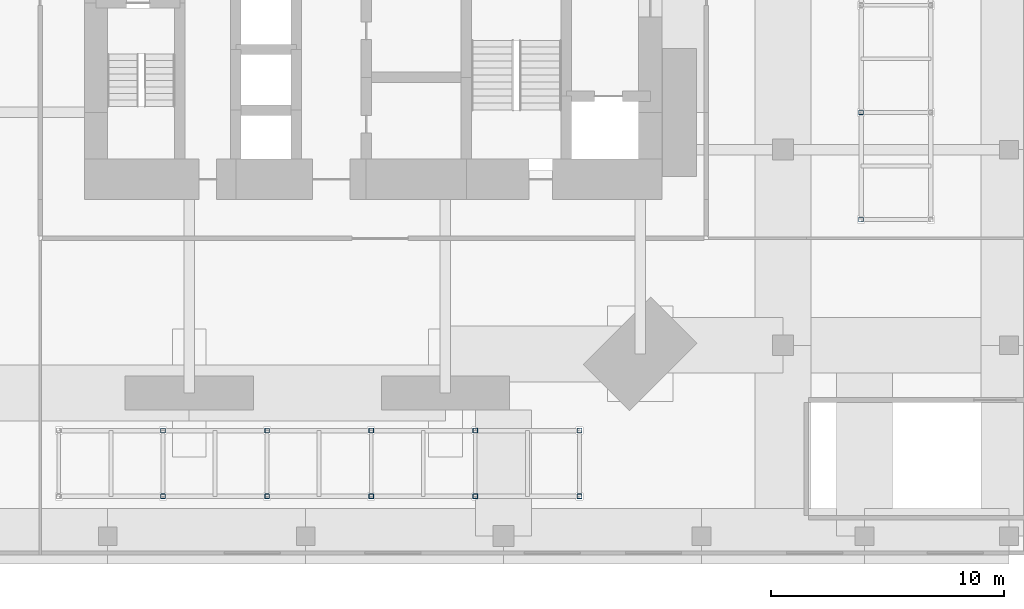
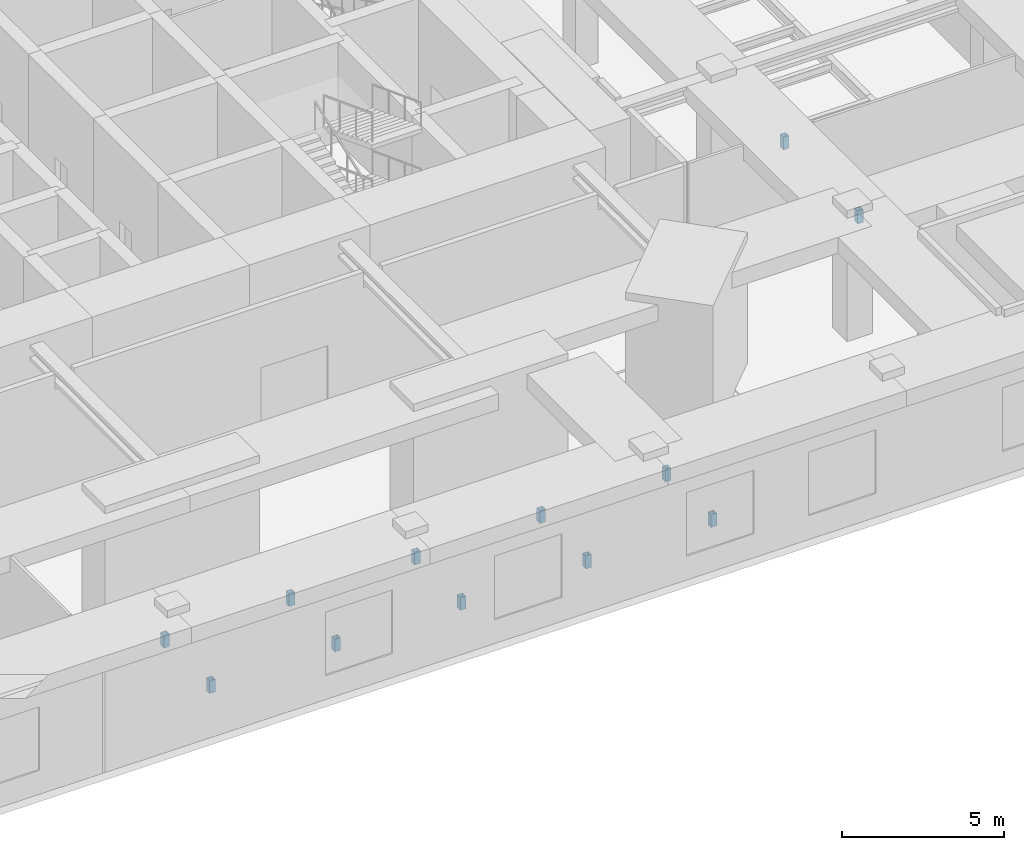
# One storey, part 4 of 17: 12 members.
"""IFC4 building model written with IfcOpenShell, lengths in metres."""

import ifcopenshell
import ifcopenshell.guid

model = None  # the IFC model being written
_history = None  # IfcOwnerHistory: only IFC2X3 demands one
_inside = {}  # id of a spatial element -> (the spatial element, [elements in it])
_under = {}  # id of a project, library or spatial element -> (it, [spatial elements below it])
_declared = {}  # id of a project -> (the project, [libraries it declares])
_typed = {}  # id of a type object -> (the type object, [elements of that type])
_made_of = {}  # id of a material, layer set ... -> (it, [elements and type objects made of it])


def new_model(schema):
    """Start an empty IFC model of exactly this schema.

    Asked for "IFC4X3", IfcOpenShell would pick the latest addendum, in which some entities
    have other attributes; the version numbers below select the first issue.
    IFC2X3 requires an IfcOwnerHistory on every rooted entity: one is made here for all.
    """
    global model, _history
    if schema == "IFC4X3":
        model = ifcopenshell.file(schema_version=(4, 3, 0, 0))
    else:
        model = ifcopenshell.file(schema=schema)
    _inside.clear()
    _under.clear()
    _declared.clear()
    _typed.clear()
    _made_of.clear()
    _history = None
    if model.schema == "IFC2X3":
        org = make("IfcOrganization", Name="unknown")
        user = make(
            "IfcPersonAndOrganization",
            ThePerson=make("IfcPerson", FamilyName="unknown"),
            TheOrganization=org,
        )
        app = make(
            "IfcApplication",
            ApplicationDeveloper=org,
            Version="unknown",
            ApplicationFullName="unknown",
            ApplicationIdentifier="unknown",
        )
        _history = make(
            "IfcOwnerHistory",
            OwningUser=user,
            OwningApplication=app,
            ChangeAction="ADDED",
            CreationDate=0,
        )
    return model


def make(cls, **values):
    """One entity of the class cls with the attributes given. An attribute that is None is left unset."""
    return model.create_entity(
        cls, **{name: value for name, value in values.items() if value is not None}
    )


def rooted(cls, **values):
    """An entity with a GlobalId (a new one), such as an element, a storey or a relation."""
    return make(cls, GlobalId=ifcopenshell.guid.new(), OwnerHistory=_history, **values)


def si_unit(unit_type, name, prefix=None):
    """IfcSIUnit, for example si_unit("LENGTHUNIT", "METRE", prefix="MILLI")."""
    return make("IfcSIUnit", UnitType=unit_type, Prefix=prefix, Name=name)


def assignment(units):
    """IfcUnitAssignment: the units of a project."""
    return None if units is None else make("IfcUnitAssignment", Units=units)


def point(xyz):
    """IfcCartesianPoint."""
    return None if xyz is None else make("IfcCartesianPoint", Coordinates=xyz)


def direction(xyz):
    """IfcDirection."""
    return None if xyz is None else make("IfcDirection", DirectionRatios=xyz)


def frame(location, z_axis=None, x_axis=None):
    """IfcAxis2Placement3D, a coordinate frame: its origin and axes. An axis left out is left unset."""
    return make(
        "IfcAxis2Placement3D",
        Location=point(location),
        Axis=direction(z_axis),
        RefDirection=direction(x_axis),
    )


def frame_2d(location, x_axis=None):
    """IfcAxis2Placement2D, a coordinate frame in the plane: its origin and x axis."""
    return make(
        "IfcAxis2Placement2D", Location=point(location), RefDirection=direction(x_axis)
    )


def origin():
    """The frame at (0, 0, 0) with its axes left unset."""
    return frame((0.0, 0.0, 0.0))


def origin_2d():
    """The frame at (0, 0) in the plane with its x axis left unset."""
    return frame_2d((0.0, 0.0))


def place(relative_to, where):
    """IfcLocalPlacement: puts the frame where relative to a parent placement (None: the world)."""
    return make(
        "IfcLocalPlacement", PlacementRelTo=relative_to, RelativePlacement=where
    )


def context(
    kind, dimensions, precision=None, world=None, true_north=None, identifier=None
):
    """IfcGeometricRepresentationContext, for example the 3D "Model" context."""
    return make(
        "IfcGeometricRepresentationContext",
        ContextIdentifier=identifier,
        ContextType=kind,
        CoordinateSpaceDimension=dimensions,
        Precision=precision,
        WorldCoordinateSystem=world,
        TrueNorth=true_north,
    )


def subcontext(parent, identifier, kind, view, scale=None):
    """IfcGeometricRepresentationSubContext, for example "Body" below "Model"."""
    return make(
        "IfcGeometricRepresentationSubContext",
        ContextIdentifier=identifier,
        ContextType=kind,
        ParentContext=parent,
        TargetScale=scale,
        TargetView=view,
    )


def project(units=None, contexts=None):
    """IfcProject with its units and contexts."""
    return rooted(
        "IfcProject",
        Name="project",
        RepresentationContexts=contexts,
        UnitsInContext=assignment(units),
    )


def spatial(cls, under=None, at=None, **own):
    """A site, building, storey or space (cls), placed at a placement, below another one or the project."""
    s = rooted(cls, ObjectPlacement=at, **own)
    if under is not None:
        _under.setdefault(under.id(), (under, []))[1].append(s)
    return s


def profile(cls, at=None, kind="AREA", **sizes):
    """A parametric profile (cls). Its sizes go by their IFC names, for example OverallWidth=200.0."""
    return make(cls, ProfileType=kind, Position=at, **sizes)


def hollow_rectangle(**sizes):
    """IfcRectangleHollowProfileDef."""
    return profile("IfcRectangleHollowProfileDef", **sizes)


def extrude(swept, where, along, depth):
    """IfcExtrudedAreaSolid: the profile swept, set in the frame where, extruded along a direction by depth."""
    return make(
        "IfcExtrudedAreaSolid",
        SweptArea=swept,
        Position=where,
        ExtrudedDirection=direction(along),
        Depth=depth,
    )


def shape(context_of_items, identifier, shape_type, items):
    """IfcShapeRepresentation: the items that make up one representation, for example the "Body"."""
    return make(
        "IfcShapeRepresentation",
        ContextOfItems=context_of_items,
        RepresentationIdentifier=identifier,
        RepresentationType=shape_type,
        Items=items,
    )


def material(Name=None, Category=None):
    """IfcMaterial."""
    return make("IfcMaterial", Name=Name, Category=Category)


def material_profile(
    of_material, cross_section, Name=None, Category=None, Priority=None
):
    """IfcMaterialProfile: a cross section and its material."""
    return make(
        "IfcMaterialProfile",
        Name=Name,
        Material=of_material,
        Profile=cross_section,
        Priority=Priority,
        Category=Category,
    )


def profile_set(profiles, Name=None, composite=None):
    """IfcMaterialProfileSet."""
    return make(
        "IfcMaterialProfileSet",
        Name=Name,
        MaterialProfiles=profiles,
        CompositeProfile=composite,
    )


def made_of(thing, what):
    """Note that an element or type object is made of a material, layer set ...; save() writes the relation."""
    if what is not None:
        _made_of.setdefault(what.id(), (what, []))[1].append(thing)
    return thing


def type_object(cls, material=None, **own):
    """A type object (cls), such as IfcWallType, which elements share."""
    return made_of(rooted(cls, **own), material)


def element(
    cls,
    number,
    at=None,
    inside=None,
    cuts=None,
    type_object=None,
    material=None,
    context=None,
    identifier="Body",
    shape_type=None,
    held_by="IfcProductDefinitionShape",
    body=None,
    shapes=None,
    **own,
):
    """One element of the class cls, such as IfcWall. Its Tag is "e" and its number.

    at: its placement. inside: the storey or other place that contains it. cuts: it is an
    opening in that element (IfcRelVoidsElement). A single representation is given by context,
    identifier, shape_type and body (its items); several are given by shapes. held_by: the class
    of the entity that holds the representations. save() writes the other relations.
    """
    e = rooted(cls, Tag="e%d" % number, ObjectPlacement=at, **own)
    if body is not None:
        shapes = [shape(context, identifier, shape_type, body)]
    if shapes is not None:
        e.Representation = make(held_by, Representations=shapes)
    if inside is not None:
        _inside.setdefault(inside.id(), (inside, []))[1].append(e)
    if cuts is not None:
        rooted(
            "IfcRelVoidsElement", RelatingBuildingElement=cuts, RelatedOpeningElement=e
        )
    if type_object is not None:
        _typed.setdefault(type_object.id(), (type_object, []))[1].append(e)
    return made_of(e, material)


def aggregate(whole, parts):
    """IfcRelAggregates: a whole, such as a stair, and the parts it consists of."""
    return rooted("IfcRelAggregates", RelatingObject=whole, RelatedObjects=parts)


def save(model, path):
    """Write the relations noted so far, then the file.

    IfcRelAggregates (storeys below a building ...), IfcRelContainedInSpatialStructure (elements
    in a storey), IfcRelDefinesByType, IfcRelAssociatesMaterial and IfcRelDeclares: one each for
    every whole, place, type object, material and project.
    """
    for whole, parts in _under.values():
        aggregate(whole, parts)
    for where, things in _inside.values():
        rooted(
            "IfcRelContainedInSpatialStructure",
            RelatedElements=things,
            RelatingStructure=where,
        )
    for kind, things in _typed.values():
        rooted("IfcRelDefinesByType", RelatedObjects=things, RelatingType=kind)
    for what, things in _made_of.values():
        rooted("IfcRelAssociatesMaterial", RelatedObjects=things, RelatingMaterial=what)
    for by, libraries in _declared.values():
        rooted("IfcRelDeclares", RelatingContext=by, RelatedDefinitions=libraries)
    model.write(path)


model = new_model("IFC4")

# Units and contexts
model_context = context("Model", 3, precision=1e-05, world=origin(), true_north=direction((0.0, 1.0)))
body_context = subcontext(model_context, "Body", "Model", "MODEL_VIEW")
ifc_project = project(units=[si_unit("LENGTHUNIT", "METRE"), si_unit("AREAUNIT", "SQUARE_METRE"), si_unit("VOLUMEUNIT", "CUBIC_METRE"), si_unit("PLANEANGLEUNIT", "RADIAN"), si_unit("MASSUNIT", "GRAM", prefix="KILO")], contexts=[model_context])

# Site, building, storey
site_placement = place(None, origin())
site = spatial("IfcSite", under=ifc_project, at=site_placement, CompositionType="ELEMENT")
building_placement = place(site_placement, origin())
building = spatial("IfcBuilding", under=site, at=building_placement, Name="Jalousie Tower", CompositionType="ELEMENT")
storey_placement = place(building_placement, frame((0.0, 0.0, 16.0)))
storey = spatial("IfcBuildingStorey", under=building, at=storey_placement, Name="L03", CompositionType="ELEMENT", Elevation=16.0)

# Members
ifc_material = material(Name="Steel ASTM A500 Grade C", Category="steel")
ifc_material_profile = material_profile(ifc_material, hollow_rectangle(XDim=0.203125, YDim=0.203125, WallThickness=0.0126953125, at=origin_2d()), Name="HSS8X8X1/2")
ifc_profile_set = profile_set([ifc_material_profile], Name="Steel ASTM A500 Grade C")
member_type = type_object("IfcMemberType", Name="PLANT SUPPORT STOOL HSS8X8X1/2", PredefinedType="POST", material=ifc_profile_set)
for number, where, z_axis, x_axis, name in (
    (1, (22.871337890625, -3.487548828125, -0.280029296875), (0.0, 0.0, 1.0), (1.0, 0.0, 0.0), "Plant support stool Electrical plant room L03"),
    (2, (22.871337890625, -0.66259765625, -0.280029296875), (0.0, 0.0, 1.0), (1.0, 0.0, 0.0), "Plant support stool Electrical plant room L03"),
    (3, (27.343017578125, -3.487548828125, -0.280029296875), (0.0, 0.0, 1.0), (1.0, 0.0, 0.0), "Plant support stool Electrical plant room L03"),
    (4, (27.343017578125, -0.66259765625, -0.280029296875), (0.0, 0.0, 1.0), (1.0, 0.0, 0.0), "Plant support stool Electrical plant room L03"),
    (5, (31.814208984375, -3.487548828125, -0.280029296875), (0.0, 0.0, 1.0), (1.0, 0.0, 0.0), "Plant support stool Electrical plant room L03"),
    (6, (31.814208984375, -0.66259765625, -0.280029296875), (0.0, 0.0, 1.0), (1.0, 0.0, 0.0), "Plant support stool Electrical plant room L03"),
    (7, (36.28564453125, -3.487548828125, -0.280029296875), (0.0, 0.0, 1.0), (1.0, 0.0, 0.0), "Plant support stool Electrical plant room L03"),
    (8, (36.28564453125, -0.66259765625, -0.280029296875), (0.0, 0.0, 1.0), (1.0, 0.0, 0.0), "Plant support stool Electrical plant room L03"),
    (9, (40.757080078125, -3.487548828125, -0.280029296875), (0.0, 0.0, 1.0), (1.0, 0.0, 0.0), "Plant support stool Electrical plant room L03"),
    (10, (40.757080078125, -0.66259765625, -0.280029296875), (0.0, 0.0, 1.0), (1.0, 0.0, 0.0), "Plant support stool Electrical plant room L03"),
    (11, (52.85009765625, 8.39990234375, -0.280029296875), (0.0, 0.0, 1.0), (1.0, 0.0, 0.0), "Plant support stool Air handling plant room L03"),
    (12, (52.85009765625, 13.0, -0.280029296875), (0.0, 0.0, 1.0), (1.0, 0.0, 0.0), "Plant support stool Air handling plant room L03"),
):
    element("IfcMember", number, at=place(storey_placement, frame(where, z_axis=z_axis, x_axis=x_axis)), inside=storey, type_object=member_type, Name=name, PredefinedType="POST", context=body_context, shape_type="SweptSolid", body=[
        extrude(hollow_rectangle(XDim=0.203125, YDim=0.203125, WallThickness=0.0126953125, at=origin_2d()), origin(), (0.0, 0.0, 1.0), 0.47998046875),
    ])

save(model, "model.ifc")
